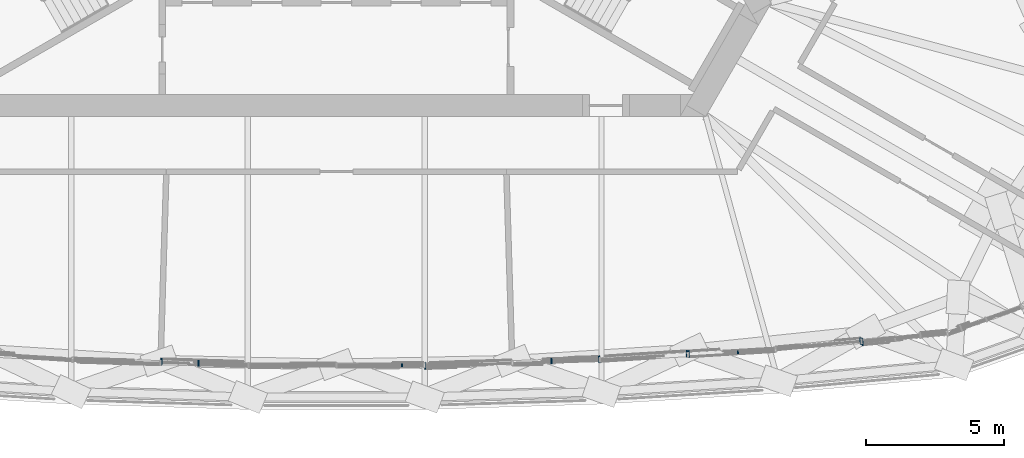
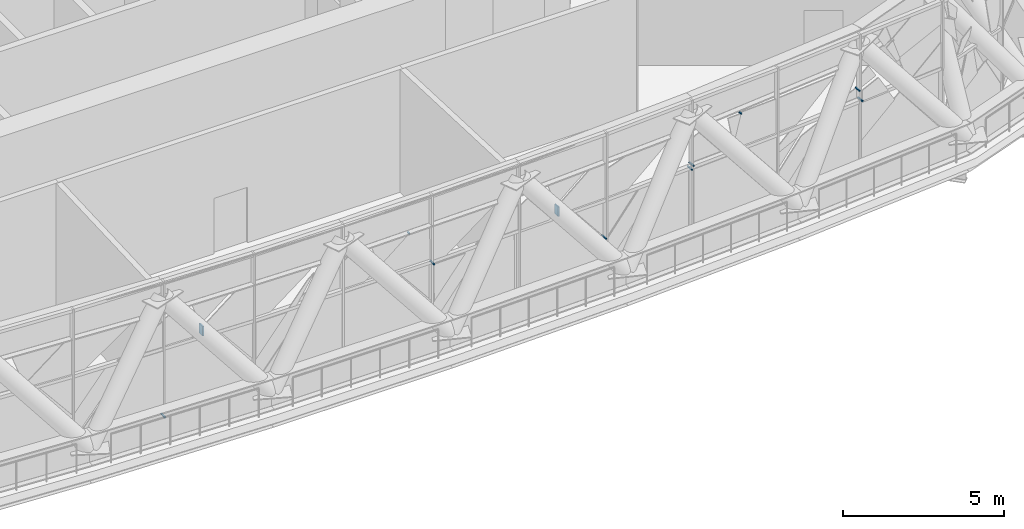
# One storey, part 28 of 35: 11 discrete accessories, 1 element without a shape of its own.
"""IFC4 building model written with IfcOpenShell, lengths in metres."""

import ifcopenshell
import ifcopenshell.guid

model = None  # the IFC model being written
_history = None  # IfcOwnerHistory: only IFC2X3 demands one
_inside = {}  # id of a spatial element -> (the spatial element, [elements in it])
_under = {}  # id of a project, library or spatial element -> (it, [spatial elements below it])
_declared = {}  # id of a project -> (the project, [libraries it declares])
_typed = {}  # id of a type object -> (the type object, [elements of that type])
_made_of = {}  # id of a material, layer set ... -> (it, [elements and type objects made of it])


def new_model(schema):
    """Start an empty IFC model of exactly this schema.

    Asked for "IFC4X3", IfcOpenShell would pick the latest addendum, in which some entities
    have other attributes; the version numbers below select the first issue.
    IFC2X3 requires an IfcOwnerHistory on every rooted entity: one is made here for all.
    """
    global model, _history
    if schema == "IFC4X3":
        model = ifcopenshell.file(schema_version=(4, 3, 0, 0))
    else:
        model = ifcopenshell.file(schema=schema)
    _inside.clear()
    _under.clear()
    _declared.clear()
    _typed.clear()
    _made_of.clear()
    _history = None
    if model.schema == "IFC2X3":
        org = make("IfcOrganization", Name="unknown")
        user = make(
            "IfcPersonAndOrganization",
            ThePerson=make("IfcPerson", FamilyName="unknown"),
            TheOrganization=org,
        )
        app = make(
            "IfcApplication",
            ApplicationDeveloper=org,
            Version="unknown",
            ApplicationFullName="unknown",
            ApplicationIdentifier="unknown",
        )
        _history = make(
            "IfcOwnerHistory",
            OwningUser=user,
            OwningApplication=app,
            ChangeAction="ADDED",
            CreationDate=0,
        )
    return model


def make(cls, **values):
    """One entity of the class cls with the attributes given. An attribute that is None is left unset."""
    return model.create_entity(
        cls, **{name: value for name, value in values.items() if value is not None}
    )


def rooted(cls, **values):
    """An entity with a GlobalId (a new one), such as an element, a storey or a relation."""
    return make(cls, GlobalId=ifcopenshell.guid.new(), OwnerHistory=_history, **values)


def si_unit(unit_type, name, prefix=None):
    """IfcSIUnit, for example si_unit("LENGTHUNIT", "METRE", prefix="MILLI")."""
    return make("IfcSIUnit", UnitType=unit_type, Prefix=prefix, Name=name)


def assignment(units):
    """IfcUnitAssignment: the units of a project."""
    return None if units is None else make("IfcUnitAssignment", Units=units)


def point(xyz):
    """IfcCartesianPoint."""
    return None if xyz is None else make("IfcCartesianPoint", Coordinates=xyz)


def direction(xyz):
    """IfcDirection."""
    return None if xyz is None else make("IfcDirection", DirectionRatios=xyz)


def frame(location, z_axis=None, x_axis=None):
    """IfcAxis2Placement3D, a coordinate frame: its origin and axes. An axis left out is left unset."""
    return make(
        "IfcAxis2Placement3D",
        Location=point(location),
        Axis=direction(z_axis),
        RefDirection=direction(x_axis),
    )


def frame_2d(location, x_axis=None):
    """IfcAxis2Placement2D, a coordinate frame in the plane: its origin and x axis."""
    return make(
        "IfcAxis2Placement2D", Location=point(location), RefDirection=direction(x_axis)
    )


def origin():
    """The frame at (0, 0, 0) with its axes left unset."""
    return frame((0.0, 0.0, 0.0))


def origin_2d():
    """The frame at (0, 0) in the plane with its x axis left unset."""
    return frame_2d((0.0, 0.0))


def place(relative_to, where):
    """IfcLocalPlacement: puts the frame where relative to a parent placement (None: the world)."""
    return make(
        "IfcLocalPlacement", PlacementRelTo=relative_to, RelativePlacement=where
    )


def context(
    kind, dimensions, precision=None, world=None, true_north=None, identifier=None
):
    """IfcGeometricRepresentationContext, for example the 3D "Model" context."""
    return make(
        "IfcGeometricRepresentationContext",
        ContextIdentifier=identifier,
        ContextType=kind,
        CoordinateSpaceDimension=dimensions,
        Precision=precision,
        WorldCoordinateSystem=world,
        TrueNorth=true_north,
    )


def subcontext(parent, identifier, kind, view, scale=None):
    """IfcGeometricRepresentationSubContext, for example "Body" below "Model"."""
    return make(
        "IfcGeometricRepresentationSubContext",
        ContextIdentifier=identifier,
        ContextType=kind,
        ParentContext=parent,
        TargetScale=scale,
        TargetView=view,
    )


def project(units=None, contexts=None):
    """IfcProject with its units and contexts."""
    return rooted(
        "IfcProject",
        Name="project",
        RepresentationContexts=contexts,
        UnitsInContext=assignment(units),
    )


def spatial(cls, under=None, at=None, **own):
    """A site, building, storey or space (cls), placed at a placement, below another one or the project."""
    s = rooted(cls, ObjectPlacement=at, **own)
    if under is not None:
        _under.setdefault(under.id(), (under, []))[1].append(s)
    return s


def profile(cls, at=None, kind="AREA", **sizes):
    """A parametric profile (cls). Its sizes go by their IFC names, for example OverallWidth=200.0."""
    return make(cls, ProfileType=kind, Position=at, **sizes)


def rectangle(**sizes):
    """IfcRectangleProfileDef."""
    return profile("IfcRectangleProfileDef", **sizes)


def extrude(swept, where, along, depth):
    """IfcExtrudedAreaSolid: the profile swept, set in the frame where, extruded along a direction by depth."""
    return make(
        "IfcExtrudedAreaSolid",
        SweptArea=swept,
        Position=where,
        ExtrudedDirection=direction(along),
        Depth=depth,
    )


def shape(context_of_items, identifier, shape_type, items):
    """IfcShapeRepresentation: the items that make up one representation, for example the "Body"."""
    return make(
        "IfcShapeRepresentation",
        ContextOfItems=context_of_items,
        RepresentationIdentifier=identifier,
        RepresentationType=shape_type,
        Items=items,
    )


def material(Name=None, Category=None):
    """IfcMaterial."""
    return make("IfcMaterial", Name=Name, Category=Category)


def layer(
    of_material, thickness, ventilated=None, Name=None, Category=None, Priority=None
):
    """IfcMaterialLayer: one layer of a wall or slab, of a material (None: an air gap)."""
    return make(
        "IfcMaterialLayer",
        Material=of_material,
        LayerThickness=thickness,
        IsVentilated=ventilated,
        Name=Name,
        Category=Category,
        Priority=Priority,
    )


def layer_set(layers, Name=None):
    """IfcMaterialLayerSet."""
    return make("IfcMaterialLayerSet", MaterialLayers=layers, LayerSetName=Name)


def made_of(thing, what):
    """Note that an element or type object is made of a material, layer set ...; save() writes the relation."""
    if what is not None:
        _made_of.setdefault(what.id(), (what, []))[1].append(thing)
    return thing


def type_object(cls, material=None, **own):
    """A type object (cls), such as IfcWallType, which elements share."""
    return made_of(rooted(cls, **own), material)


def element(
    cls,
    number,
    at=None,
    inside=None,
    cuts=None,
    type_object=None,
    material=None,
    context=None,
    identifier="Body",
    shape_type=None,
    held_by="IfcProductDefinitionShape",
    body=None,
    shapes=None,
    **own,
):
    """One element of the class cls, such as IfcWall. Its Tag is "e" and its number.

    at: its placement. inside: the storey or other place that contains it. cuts: it is an
    opening in that element (IfcRelVoidsElement). A single representation is given by context,
    identifier, shape_type and body (its items); several are given by shapes. held_by: the class
    of the entity that holds the representations. save() writes the other relations.
    """
    e = rooted(cls, Tag="e%d" % number, ObjectPlacement=at, **own)
    if body is not None:
        shapes = [shape(context, identifier, shape_type, body)]
    if shapes is not None:
        e.Representation = make(held_by, Representations=shapes)
    if inside is not None:
        _inside.setdefault(inside.id(), (inside, []))[1].append(e)
    if cuts is not None:
        rooted(
            "IfcRelVoidsElement", RelatingBuildingElement=cuts, RelatedOpeningElement=e
        )
    if type_object is not None:
        _typed.setdefault(type_object.id(), (type_object, []))[1].append(e)
    return made_of(e, material)


def aggregate(whole, parts):
    """IfcRelAggregates: a whole, such as a stair, and the parts it consists of."""
    return rooted("IfcRelAggregates", RelatingObject=whole, RelatedObjects=parts)


def save(model, path):
    """Write the relations noted so far, then the file.

    IfcRelAggregates (storeys below a building ...), IfcRelContainedInSpatialStructure (elements
    in a storey), IfcRelDefinesByType, IfcRelAssociatesMaterial and IfcRelDeclares: one each for
    every whole, place, type object, material and project.
    """
    for whole, parts in _under.values():
        aggregate(whole, parts)
    for where, things in _inside.values():
        rooted(
            "IfcRelContainedInSpatialStructure",
            RelatedElements=things,
            RelatingStructure=where,
        )
    for kind, things in _typed.values():
        rooted("IfcRelDefinesByType", RelatedObjects=things, RelatingType=kind)
    for what, things in _made_of.values():
        rooted("IfcRelAssociatesMaterial", RelatedObjects=things, RelatingMaterial=what)
    for by, libraries in _declared.values():
        rooted("IfcRelDeclares", RelatingContext=by, RelatedDefinitions=libraries)
    model.write(path)


model = new_model("IFC4")

# Units and contexts
model_context = context("Model", 3, precision=1e-05, world=origin(), true_north=direction((0.0, 1.0)))
body_context = subcontext(model_context, "Body", "Model", "MODEL_VIEW")
ifc_project = project(units=[si_unit("LENGTHUNIT", "METRE"), si_unit("AREAUNIT", "SQUARE_METRE"), si_unit("VOLUMEUNIT", "CUBIC_METRE"), si_unit("PLANEANGLEUNIT", "RADIAN"), si_unit("MASSUNIT", "GRAM", prefix="KILO")], contexts=[model_context])

# Site, building, storey
site_placement = place(None, origin())
site = spatial("IfcSite", under=ifc_project, at=site_placement, CompositionType="ELEMENT")
building_placement = place(site_placement, origin())
building = spatial("IfcBuilding", under=site, at=building_placement, Name="Mestral Congress Tower", CompositionType="ELEMENT")
storey_placement = place(building_placement, frame((0.0, 0.0, 196.199951171875)))
storey = spatial("IfcBuildingStorey", under=building, at=storey_placement, Name="L46", CompositionType="ELEMENT", Elevation=196.199951171875)

# Curtain wall, discrete accessories
ifc_material_1 = material(Name="Clear low-emissivity double glazing", Category="glass")
curtain_wall_type = type_object("IfcCurtainWallType", Name="Facade refuge band screen", PredefinedType="USERDEFINED", material=ifc_material_1)
curtain_wall_placement = place(storey_placement, origin())
curtain_wall = element("IfcCurtainWall", 1, at=curtain_wall_placement, inside=storey, type_object=curtain_wall_type, Name="Facade refuge band screen face 1", ObjectType="CURTAIN WALL", PredefinedType="USERDEFINED")
ifc_material_2 = material(Name="Steel S355", Category="steel")
ifc_layer = layer(ifc_material_2, 0.050048828125)
ifc_layer_set = layer_set([ifc_layer], Name="Steel S355")
discrete_accessory_type = type_object("IfcDiscreteAccessoryType", Name="Facade bracket", PredefinedType="BRACKET", material=ifc_layer_set)
discrete_accessory_1_placement = place(storey_placement, frame((-6.33251953125, -19.33447265625, -0.02490234375), z_axis=(0.0, 0.0, 1.0), x_axis=(0.99953396386, -0.030526301601, 0.0)))
discrete_accessory_1 = element("IfcDiscreteAccessory", 2, at=discrete_accessory_1_placement, type_object=discrete_accessory_type, Name="Facade bracket", PredefinedType="BRACKET", context=body_context, shape_type="SweptSolid", body=[
    extrude(rectangle(XDim=0.050537109375, YDim=0.2548828125, at=origin_2d()), origin(), (0.0, 0.0, 1.0), 0.050048828125),
])
discrete_accessory_2_placement = place(storey_placement, frame((-4.990234375, -19.37939453125, 2.634765625), z_axis=(0.0, 0.0, 1.0), x_axis=(0.999533164341, -0.030552469329, 0.0)))
discrete_accessory_2 = element("IfcDiscreteAccessory", 3, at=discrete_accessory_2_placement, type_object=discrete_accessory_type, Name="Facade bracket", PredefinedType="BRACKET", context=body_context, shape_type="SweptSolid", body=[
    extrude(rectangle(XDim=0.050048828125, YDim=0.217041015625, at=origin_2d()), origin(), (0.0, 0.0, 1.0), 0.360107421875),
])
discrete_accessory_3_placement = place(storey_placement, frame((2.38134765625, -19.453369140625, 3.9130859375), z_axis=(0.0, 0.0, 1.0), x_axis=(1.0, 0.0, 0.0)))
discrete_accessory_3 = element("IfcDiscreteAccessory", 4, at=discrete_accessory_3_placement, type_object=discrete_accessory_type, Name="Facade bracket", PredefinedType="BRACKET", context=body_context, shape_type="SweptSolid", body=[
    extrude(rectangle(XDim=0.050048828125, YDim=0.1171875, at=origin_2d()), origin(), (0.0, 0.0, 1.0), 0.050048828125),
])
discrete_accessory_4_placement = place(storey_placement, frame((3.212890625, -19.48291015625, 2.51513671875), z_axis=(0.0, 0.0, 1.0), x_axis=(0.99953369743, 0.030535024179, 0.0)))
discrete_accessory_4 = element("IfcDiscreteAccessory", 5, at=discrete_accessory_4_placement, type_object=discrete_accessory_type, Name="Facade bracket", PredefinedType="BRACKET", context=body_context, shape_type="SweptSolid", body=[
    extrude(rectangle(XDim=0.050048828125, YDim=0.2509765625, at=origin_2d()), origin(), (0.0, 0.0, 1.0), 0.050048828125),
])
discrete_accessory_5_placement = place(storey_placement, frame((9.51318359375, -19.243408203125, 1.12890625), z_axis=(0.0, 0.0, 1.0), x_axis=(0.999533377613, 0.03054549127, 0.0)))
discrete_accessory_5 = element("IfcDiscreteAccessory", 6, at=discrete_accessory_5_placement, type_object=discrete_accessory_type, Name="Facade bracket", PredefinedType="BRACKET", context=body_context, shape_type="SweptSolid", body=[
    extrude(rectangle(XDim=0.050048828125, YDim=0.242919921875, at=origin_2d()), origin(), (0.0, 0.0, 1.0), 0.050048828125),
])
discrete_accessory_6_placement = place(storey_placement, frame((7.781494140625, -19.30029296875, 2.634765625), z_axis=(0.0, 0.0, 1.0), x_axis=(0.999534922379, 0.0304949003, 0.0)))
discrete_accessory_6 = element("IfcDiscreteAccessory", 7, at=discrete_accessory_6_placement, type_object=discrete_accessory_type, Name="Facade bracket", PredefinedType="BRACKET", context=body_context, shape_type="SweptSolid", body=[
    extrude(rectangle(XDim=0.050048828125, YDim=0.20556640625, at=origin_2d()), origin(), (0.0, 0.0, 1.0), 0.360107421875),
])
discrete_accessory_7_placement = place(storey_placement, frame((12.688720703125, -19.045166015625, 2.51513671875), z_axis=(0.0, 0.0, 1.0), x_axis=(0.998137354741, 0.061006729709, 0.0)))
discrete_accessory_7 = element("IfcDiscreteAccessory", 8, at=discrete_accessory_7_placement, type_object=discrete_accessory_type, Name="Facade bracket", PredefinedType="BRACKET", context=body_context, shape_type="SweptSolid", body=[
    extrude(rectangle(XDim=0.050048828125, YDim=0.253173828125, at=origin_2d()), origin(), (0.0, 0.0, 1.0), 0.050048828125),
])
discrete_accessory_8_placement = place(storey_placement, frame((14.52783203125, -18.98779296875, 3.9130859375), z_axis=(0.0, 0.0, 1.0), x_axis=(0.998138525803, 0.060987566836, 0.0)))
discrete_accessory_8 = element("IfcDiscreteAccessory", 9, at=discrete_accessory_8_placement, type_object=discrete_accessory_type, Name="Facade bracket", PredefinedType="BRACKET", context=body_context, shape_type="SweptSolid", body=[
    extrude(rectangle(XDim=0.050048828125, YDim=0.10693359375, at=origin_2d()), origin(), (0.0, 0.0, 1.0), 0.050048828125),
])
discrete_accessory_9_placement = place(storey_placement, frame((12.7490234375, -19.045166015625, 2.63525390625), z_axis=(0.0, 0.0, 1.0), x_axis=(0.998134159068, 0.061058991975, 0.0)))
discrete_accessory_9 = element("IfcDiscreteAccessory", 10, at=discrete_accessory_9_placement, type_object=discrete_accessory_type, Name="Facade bracket", PredefinedType="BRACKET", context=body_context, shape_type="SweptSolid", body=[
    extrude(rectangle(XDim=0.050048828125, YDim=0.244384765625, at=origin_2d()), origin(), (0.0, 0.0, 1.0), 0.050048828125),
])
discrete_accessory_10_placement = place(storey_placement, frame((18.970703125, -18.57421875, 3.01025390625), z_axis=(0.0, 0.0, 1.0), x_axis=(0.995817374982, 0.091366053233, 0.0)))
discrete_accessory_10 = element("IfcDiscreteAccessory", 11, at=discrete_accessory_10_placement, type_object=discrete_accessory_type, Name="Facade bracket", PredefinedType="BRACKET", context=body_context, shape_type="SweptSolid", body=[
    extrude(rectangle(XDim=0.050048828125, YDim=0.238525390625, at=origin_2d()), origin(), (0.0, 0.0, 1.0), 0.050048828125),
])
discrete_accessory_11_placement = place(storey_placement, frame((19.03662109375, -18.617431640625, 2.63525390625), z_axis=(0.0, 0.0, 1.0), x_axis=(0.995809397998, 0.091452954345, 0.0)))
discrete_accessory_11 = element("IfcDiscreteAccessory", 12, at=discrete_accessory_11_placement, type_object=discrete_accessory_type, Name="Facade bracket", PredefinedType="BRACKET", context=body_context, shape_type="SweptSolid", body=[
    extrude(rectangle(XDim=0.050048828125, YDim=0.2626953125, at=origin_2d()), origin(), (0.0, 0.0, 1.0), 0.050048828125),
])
aggregate(curtain_wall, [discrete_accessory_1, discrete_accessory_2, discrete_accessory_3, discrete_accessory_4, discrete_accessory_5, discrete_accessory_6, discrete_accessory_7, discrete_accessory_8, discrete_accessory_9, discrete_accessory_10, discrete_accessory_11])

save(model, "model.ifc")
